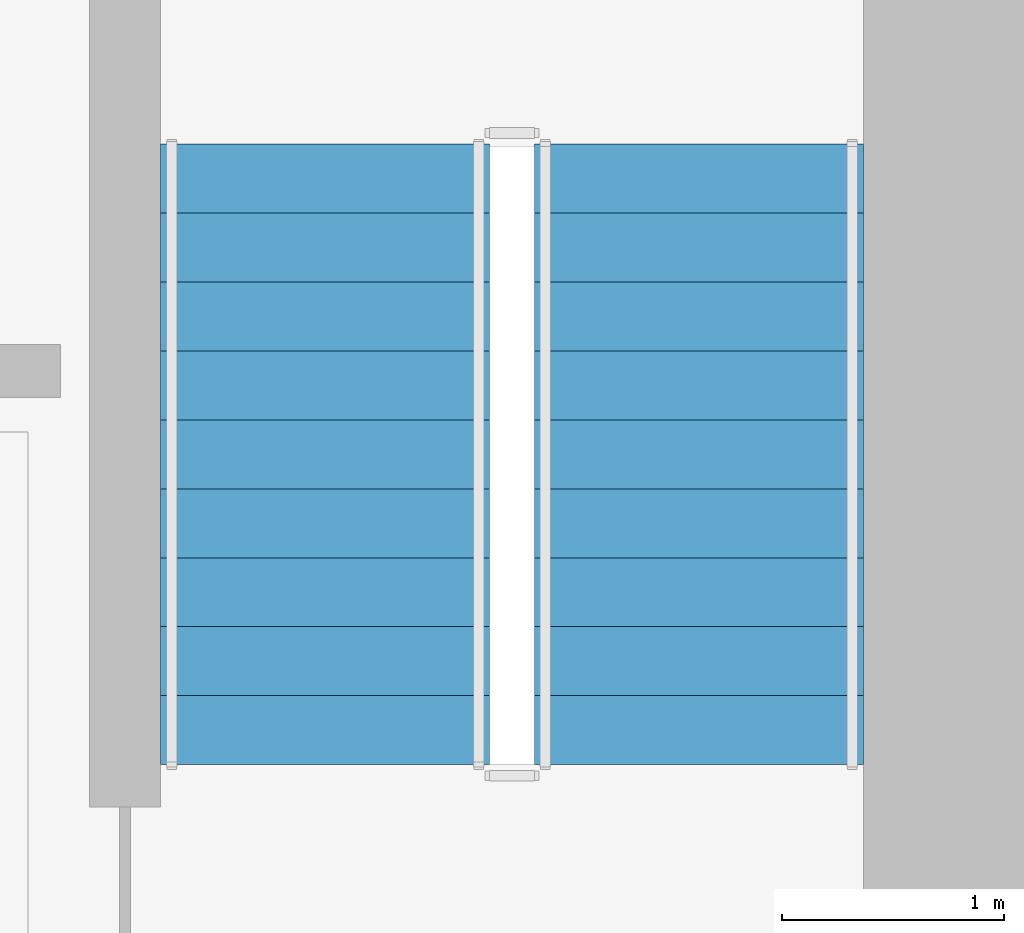
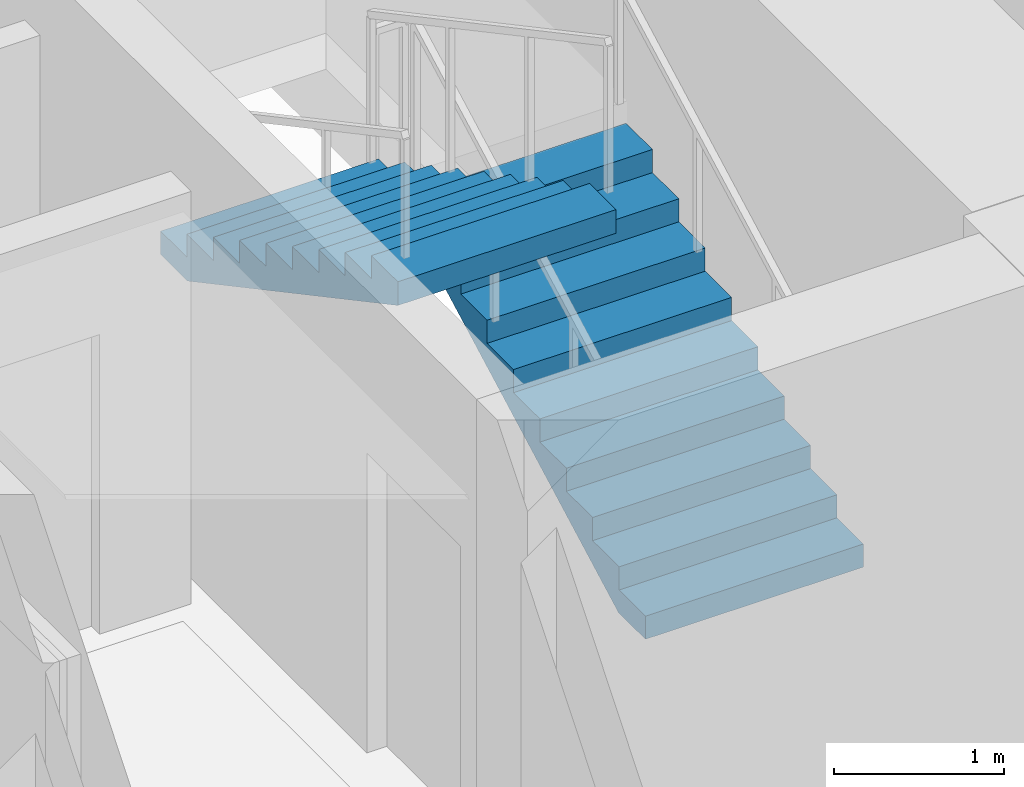
# One storey, part 8 of 12: 2 stair flights, 1 element without a shape of its own.
"""IFC4 building model written with IfcOpenShell, lengths in metres."""

from ifc_helpers import new_model, si_unit, direction, frame, origin, place, context, subcontext, project, spatial, polyline, outline, extrude, material, type_object, element, aggregate, save


model = new_model("IFC4")

# Units and contexts
model_context = context("Model", 3, precision=1e-05, world=origin(), true_north=direction((0.0, 1.0)))
body_context = subcontext(model_context, "Body", "Model", "MODEL_VIEW")
ifc_project = project(units=[si_unit("LENGTHUNIT", "METRE"), si_unit("AREAUNIT", "SQUARE_METRE"), si_unit("VOLUMEUNIT", "CUBIC_METRE"), si_unit("PLANEANGLEUNIT", "RADIAN"), si_unit("MASSUNIT", "GRAM", prefix="KILO")], contexts=[model_context])

# Site, building, storey
site_placement = place(None, origin())
site = spatial("IfcSite", under=ifc_project, at=site_placement, CompositionType="ELEMENT")
building_placement = place(site_placement, origin())
building = spatial("IfcBuilding", under=site, at=building_placement, Name="Solanera Arch Residences", CompositionType="ELEMENT")
storey_placement = place(building_placement, frame((0.0, 0.0, 85.080078125)))
storey = spatial("IfcBuildingStorey", under=building, at=storey_placement, Name="L24", CompositionType="ELEMENT", Elevation=85.080078125)

# Stair, stair flights
ifc_material_1 = material(Name="Concrete C40/50 (f'c = 45 MPa)", Category="concrete")
stair_type = type_object("IfcStairType", Name="Tower Dogleg Exit Stair 1480", PredefinedType="HALF_TURN_STAIR", material=ifc_material_1)
stair_placement = place(storey_placement, origin())
stair = element("IfcStair", 1, at=stair_placement, inside=storey, type_object=stair_type, Name="L24 Tower Core Exit Stair 2", PredefinedType="HALF_TURN_STAIR")
ifc_material_2 = material(Name="Concrete C40/50 (f'c = 45 MPa)", Category="concrete")
stair_flight_type = type_object("IfcStairFlightType", Name="Tower Precast Stair Flight 1480", PredefinedType="STRAIGHT", material=ifc_material_2)
stair_flight_1_placement = place(storey_placement, frame((35.320068359375, 32.47998046875, 0.0), z_axis=(0.0, 0.0, 1.0), x_axis=(0.0, 1.0, 0.0)))
stair_flight_1 = element("IfcStairFlight", 2, at=stair_flight_1_placement, type_object=stair_flight_type, Name="ST-T2 flight 1", NumberOfRisers=10, NumberOfTreads=9, PredefinedType="STRAIGHT", RiserHeight=0.166, TreadLength=0.31, context=body_context, shape_type="SweptSolid", body=[
    extrude(outline(polyline([(0.0, 0.0), (0.0, 0.166015625), (0.31005859375, 0.166015625), (0.31005859375, 0.33203125), (0.6201171875, 0.33203125), (0.6201171875, 0.498046875), (0.929931640625, 0.498046875), (0.929931640625, 0.6640625), (1.239990234375, 0.6640625), (1.239990234375, 0.830078125), (1.550048828125, 0.830078125), (1.550048828125, 0.99609375), (1.860107421875, 0.99609375), (1.860107421875, 1.162109375), (2.169921875, 1.162109375), (2.169921875, 1.327880859375), (2.47998046875, 1.327880859375), (2.47998046875, 1.493896484375), (2.7900390625, 1.493896484375), (2.7900390625, 1.659912109375), (2.7900390625, 1.323974609375), (0.317626953125, 0.0), (0.0, 0.0)])), frame((0.0, 0.739990234375, 0.0), z_axis=(0.0, -1.0, 0.0), x_axis=(1.0, 0.0, 0.0)), (0.0, 0.0, 1.0), 1.47998046875),
])
stair_flight_2_placement = place(storey_placement, frame((33.639892578125, 35.27001953125, 1.659912109375), z_axis=(0.0, 0.0, 1.0), x_axis=(0.0, -1.0, 0.0)))
stair_flight_2 = element("IfcStairFlight", 3, at=stair_flight_2_placement, type_object=stair_flight_type, Name="ST-T2 flight 2", NumberOfRisers=10, NumberOfTreads=9, PredefinedType="STRAIGHT", RiserHeight=0.166, TreadLength=0.31, context=body_context, shape_type="SweptSolid", body=[
    extrude(outline(polyline([(0.0, 0.0), (0.0, 0.166015625), (0.31005859375, 0.166015625), (0.31005859375, 0.33203125), (0.6201171875, 0.33203125), (0.6201171875, 0.498046875), (0.929931640625, 0.498046875), (0.929931640625, 0.6640625), (1.239990234375, 0.6640625), (1.239990234375, 0.830078125), (1.550048828125, 0.830078125), (1.550048828125, 0.99609375), (1.860107421875, 0.99609375), (1.860107421875, 1.162109375), (2.169921875, 1.162109375), (2.169921875, 1.327880859375), (2.47998046875, 1.327880859375), (2.47998046875, 1.493896484375), (2.7900390625, 1.493896484375), (2.7900390625, 1.659912109375), (2.7900390625, 1.323974609375), (0.317626953125, 0.0), (0.0, 0.0)])), frame((0.0, 0.739990234375, 0.0), z_axis=(0.0, -1.0, 0.0), x_axis=(1.0, 0.0, 0.0)), (0.0, 0.0, 1.0), 1.47998046875),
])
aggregate(stair, [stair_flight_1, stair_flight_2])

save(model, "model.ifc")
